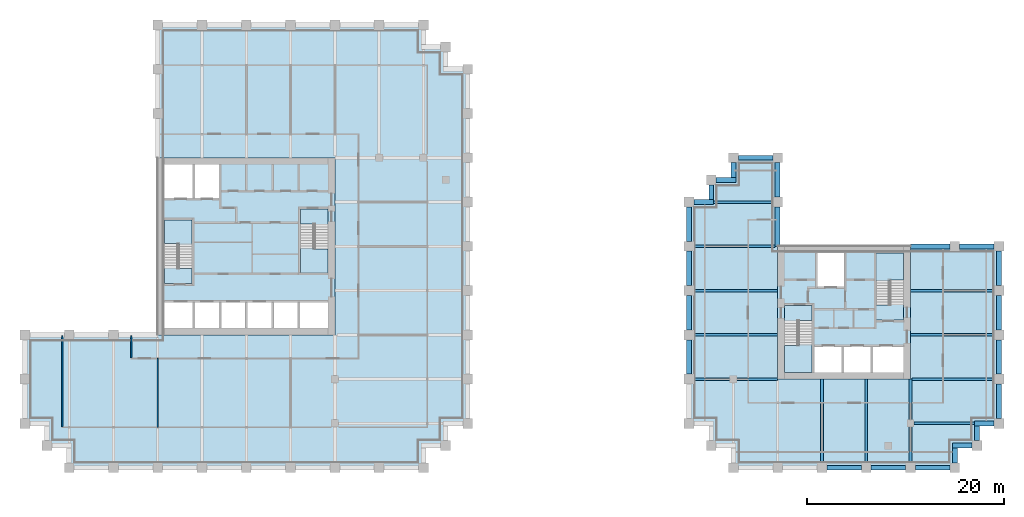
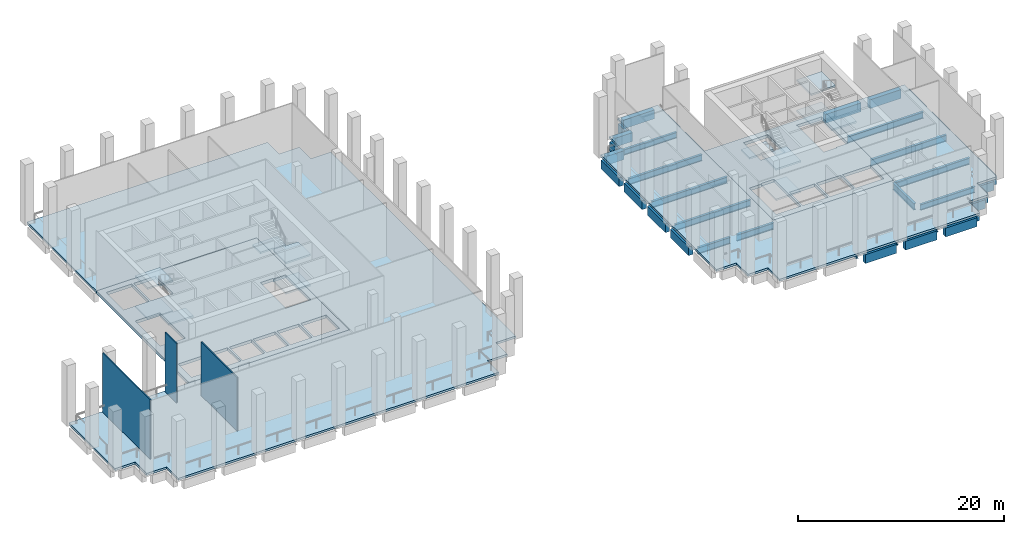
# One storey, part 2 of 9: 38 beams, 16 slabs, 3 walls, 4 elements without a shape of their own.
"""IFC4 building model written with IfcOpenShell, lengths in metres."""

from ifc_helpers import new_model, si_unit, direction, frame, frame_2d, origin, origin_2d, place, context, subcontext, project, spatial, polyline, rectangle, i_section, outline, extrude, material, layer, layer_set, material_profile, profile_set, type_object, element, aggregate, save


model = new_model("IFC4")

# Units and contexts
model_context = context("Model", 3, precision=1e-05, world=origin(), true_north=direction((0.0, 1.0)))
body_context = subcontext(model_context, "Body", "Model", "MODEL_VIEW")
ifc_project = project(units=[si_unit("LENGTHUNIT", "METRE"), si_unit("AREAUNIT", "SQUARE_METRE"), si_unit("VOLUMEUNIT", "CUBIC_METRE"), si_unit("PLANEANGLEUNIT", "RADIAN"), si_unit("MASSUNIT", "GRAM", prefix="KILO")], contexts=[model_context])

# Site, building, storey
site_placement = place(None, origin())
site = spatial("IfcSite", under=ifc_project, at=site_placement, CompositionType="ELEMENT")
building_placement = place(site_placement, origin())
building = spatial("IfcBuilding", under=site, at=building_placement, Name="Altepetl Exchange Towers", CompositionType="ELEMENT")
storey_placement = place(building_placement, frame((0.0, 0.0, 113.60009765625)))
storey = spatial("IfcBuildingStorey", under=building, at=storey_placement, Name="L28 Wind floor plant", CompositionType="ELEMENT", Elevation=113.60009765625)

# Beams
ifc_material_1 = material(Name="Steel S355", Category="steel")
ifc_material_profile_1 = material_profile(ifc_material_1, i_section(OverallWidth=0.26806640625, OverallDepth=0.77392578125, WebThickness=0.015380859375, FlangeThickness=0.025390625, at=origin_2d()), Name="W30X132")
ifc_profile_set_1 = profile_set([ifc_material_profile_1], Name="Steel S355")
beam_type_1 = type_object("IfcBeamType", Name="Girder W30X132", PredefinedType="BEAM", material=ifc_profile_set_1)
beam_1_placement = place(storey_placement, frame((117.0, 36.0, -0.63720703125), z_axis=(0.0, -1.0, 0.0), x_axis=(1.0, 0.0, 0.0)))
element("IfcBeam", 1, at=beam_1_placement, inside=storey, type_object=beam_type_1, Name="gd:B:L28:000", PredefinedType="BEAM", context=body_context, shape_type="SweptSolid", body=[
    extrude(i_section(OverallWidth=0.26806640625, OverallDepth=0.77392578125, WebThickness=0.015380859375, FlangeThickness=0.025390625, at=origin_2d()), origin(), (0.0, 0.0, 1.0), 4.125),
])
beam_2_placement = place(storey_placement, frame((117.0, 31.125, -0.63720703125), z_axis=(0.0, -1.0, 0.0), x_axis=(1.0, 0.0, 0.0)))
element("IfcBeam", 2, at=beam_2_placement, inside=storey, type_object=beam_type_1, Name="gd:B:L28:001", PredefinedType="BEAM", context=body_context, shape_type="SweptSolid", body=[
    extrude(i_section(OverallWidth=0.26806640625, OverallDepth=0.77392578125, WebThickness=0.015380859375, FlangeThickness=0.025390625, at=origin_2d()), origin(), (0.0, 0.0, 1.0), 3.625),
])
beam_3_placement = place(storey_placement, frame((103.5, 36.0, -0.63720703125), z_axis=(-1.0, 0.0, 0.0), x_axis=(0.0, -1.0, 0.0)))
element("IfcBeam", 3, at=beam_3_placement, inside=storey, type_object=beam_type_1, Name="gd:B:L28:002", PredefinedType="BEAM", context=body_context, shape_type="SweptSolid", body=[
    extrude(i_section(OverallWidth=0.26806640625, OverallDepth=0.77392578125, WebThickness=0.015380859375, FlangeThickness=0.025390625, at=origin_2d()), origin(), (0.0, 0.0, 1.0), 4.125),
])
beam_4_placement = place(storey_placement, frame((98.625, 36.0, -0.63720703125), z_axis=(-1.0, 0.0, 0.0), x_axis=(0.0, -1.0, 0.0)))
element("IfcBeam", 4, at=beam_4_placement, inside=storey, type_object=beam_type_1, Name="gd:B:L28:003", PredefinedType="BEAM", context=body_context, shape_type="SweptSolid", body=[
    extrude(i_section(OverallWidth=0.26806640625, OverallDepth=0.77392578125, WebThickness=0.015380859375, FlangeThickness=0.025390625, at=origin_2d()), origin(), (0.0, 0.0, 1.0), 3.625),
])
ifc_material_profile_2 = material_profile(ifc_material_1, i_section(OverallWidth=0.25390625, OverallDepth=0.68408203125, WebThickness=0.012451171875, FlangeThickness=0.018798828125, at=origin_2d()), Name="W27X94")
ifc_profile_set_2 = profile_set([ifc_material_profile_2], Name="Steel S355")
beam_type_2 = type_object("IfcBeamType", Name="Plant floor beam W27X94", PredefinedType="BEAM", material=ifc_profile_set_2)
beam_5_placement = place(storey_placement, frame((117.375, 31.5, -0.592041015625), z_axis=(1.0, 0.0, 0.0), x_axis=(0.0, 1.0, 0.0)))
element("IfcBeam", 5, at=beam_5_placement, inside=storey, type_object=beam_type_2, Name="bm:B:L28:000", PredefinedType="BEAM", context=body_context, shape_type="SweptSolid", body=[
    extrude(i_section(OverallWidth=0.25390625, OverallDepth=0.68408203125, WebThickness=0.012451171875, FlangeThickness=0.018798828125, at=origin_2d()), origin(), (0.0, 0.0, 1.0), 6.125),
])
beam_6_placement = place(storey_placement, frame((97.0, 54.0, -0.592041015625), z_axis=(1.0, 0.0, 0.0), x_axis=(0.0, 1.0, 0.0)))
element("IfcBeam", 6, at=beam_6_placement, inside=storey, type_object=beam_type_2, Name="bm:B:L28:011", PredefinedType="BEAM", context=body_context, shape_type="SweptSolid", body=[
    extrude(i_section(OverallWidth=0.25390625, OverallDepth=0.68408203125, WebThickness=0.012451171875, FlangeThickness=0.018798828125, at=origin_2d()), origin(), (0.0, 0.0, 1.0), 6.0),
])
ifc_material_profile_3 = material_profile(ifc_material_1, i_section(OverallWidth=0.26611328125, OverallDepth=0.758056640625, WebThickness=0.013916015625, FlangeThickness=0.019287109375, at=origin_2d()), Name="W30X108")
ifc_profile_set_3 = profile_set([ifc_material_profile_3], Name="Steel S355")
beam_type_3 = type_object("IfcBeamType", Name="Plant floor beam W30X108", PredefinedType="BEAM", material=ifc_profile_set_3)
beam_7_placement = place(storey_placement, frame((117.134033203125, 36.0, -0.629150390625), z_axis=(1.0, 0.0, 0.0), x_axis=(0.0, 1.0, 0.0)))
element("IfcBeam", 7, at=beam_7_placement, inside=storey, type_object=beam_type_3, Name="bm:B:L28:001", PredefinedType="BEAM", context=body_context, shape_type="SweptSolid", body=[
    extrude(i_section(OverallWidth=0.26611328125, OverallDepth=0.758056640625, WebThickness=0.013916015625, FlangeThickness=0.019287109375, at=origin_2d()), origin(), (0.0, 0.0, 1.0), 8.365966796875),
])
for number, where, z_axis, x_axis, name in (
    (8, (117.0, 40.5, -0.629150390625), (1.0, 0.0, 0.0), (0.0, 1.0, 0.0), "bm:B:L28:002"),
    (9, (117.0, 45.0, -0.629150390625), (1.0, 0.0, 0.0), (0.0, 1.0, 0.0), "bm:B:L28:003"),
    (10, (108.0, 27.5, -0.629150390625), (0.0, 1.0, 0.0), (-1.0, 0.0, 0.0), "bm:B:L28:006"),
    (11, (112.5, 27.5, -0.629150390625), (0.0, 1.0, 0.0), (-1.0, 0.0, 0.0), "bm:B:L28:007"),
    (12, (95.0, 40.5, -0.629150390625), (1.0, 0.0, 0.0), (0.0, 1.0, 0.0), "bm:B:L28:008"),
    (13, (95.0, 45.0, -0.629150390625), (1.0, 0.0, 0.0), (0.0, 1.0, 0.0), "bm:B:L28:009"),
):
    element("IfcBeam", number, at=place(storey_placement, frame(where, z_axis=z_axis, x_axis=x_axis)), inside=storey, type_object=beam_type_3, Name=name, PredefinedType="BEAM", context=body_context, shape_type="SweptSolid", body=[
        extrude(i_section(OverallWidth=0.26611328125, OverallDepth=0.758056640625, WebThickness=0.013916015625, FlangeThickness=0.019287109375, at=origin_2d()), origin(), (0.0, 0.0, 1.0), 8.5),
    ])
beam_8_placement = place(storey_placement, frame((95.0, 49.5, -0.629150390625), z_axis=(1.0, 0.0, 0.0), x_axis=(0.0, 1.0, 0.0)))
element("IfcBeam", 14, at=beam_8_placement, inside=storey, type_object=beam_type_3, Name="bm:B:L28:010", PredefinedType="BEAM", context=body_context, shape_type="SweptSolid", body=[
    extrude(i_section(OverallWidth=0.26611328125, OverallDepth=0.758056640625, WebThickness=0.013916015625, FlangeThickness=0.019287109375, at=origin_2d()), origin(), (0.0, 0.0, 1.0), 8.25),
])
ifc_material_2 = material(Name="Concrete C50/60 precast with cantera amarilla facing", Category="concrete")
ifc_material_profile_4 = material_profile(ifc_material_2, rectangle(XDim=0.5, YDim=1.050048828125, at=origin_2d()), Name="500 x 1050")
ifc_profile_set_4 = profile_set([ifc_material_profile_4], Name="Concrete C50/60 precast with cantera amarilla facing")
beam_type_4 = type_object("IfcBeamType", Name="Spandrel beam 500x1050 cantera amarilla", PredefinedType="SPANDREL", material=ifc_profile_set_4)
beam_9_placement = place(storey_placement, frame((125.5, 49.5, -0.775146484375), z_axis=(-1.0, 0.0, 0.0), x_axis=(0.0, -1.0, 0.0)))
element("IfcBeam", 15, at=beam_9_placement, inside=storey, type_object=beam_type_4, Name="sp:B:L28:013", PredefinedType="SPANDREL", context=body_context, shape_type="SweptSolid", body=[
    extrude(rectangle(XDim=0.5, YDim=1.050048828125, at=origin_2d()), origin(), (0.0, 0.0, 1.0), 3.5),
])
beam_10_placement = place(storey_placement, frame((121.0, 49.5, -0.775146484375), z_axis=(-1.0, 0.0, 0.0), x_axis=(0.0, -1.0, 0.0)))
element("IfcBeam", 16, at=beam_10_placement, inside=storey, type_object=beam_type_4, Name="sp:B:L28:014", PredefinedType="SPANDREL", context=body_context, shape_type="SweptSolid", body=[
    extrude(rectangle(XDim=0.5, YDim=1.050048828125, at=origin_2d()), origin(), (0.0, 0.0, 1.0), 4.0),
])
ifc_material_3 = material(Name="Concrete C50/60 precast with cantera blanca facing", Category="concrete")
ifc_material_profile_5 = material_profile(ifc_material_3, rectangle(XDim=0.5, YDim=1.050048828125, at=origin_2d()), Name="500 x 1050")
ifc_profile_set_5 = profile_set([ifc_material_profile_5], Name="Concrete C50/60 precast with cantera blanca facing")
beam_type_5 = type_object("IfcBeamType", Name="Spandrel beam 500x1050 cantera blanca", PredefinedType="SPANDREL", material=ifc_profile_set_5)
beam_11_placement = place(storey_placement, frame((117.5, 27.0, -0.775146484375), z_axis=(1.0, 0.0, 0.0), x_axis=(0.0, 1.0, 0.0)))
element("IfcBeam", 17, at=beam_11_placement, inside=storey, type_object=beam_type_5, Name="sp:B:L28:004", PredefinedType="SPANDREL", context=body_context, shape_type="SweptSolid", body=[
    extrude(rectangle(XDim=0.5, YDim=1.050048828125, at=origin_2d()), origin(), (0.0, 0.0, 1.0), 3.5),
])
beam_12_placement = place(storey_placement, frame((121.5, 27.5, -0.775146484375), z_axis=(0.0, 1.0, 0.0), x_axis=(-1.0, 0.0, 0.0)))
element("IfcBeam", 18, at=beam_12_placement, inside=storey, type_object=beam_type_5, Name="sp:B:L28:005", PredefinedType="SPANDREL", context=body_context, shape_type="SweptSolid", body=[
    extrude(rectangle(XDim=0.5, YDim=1.050048828125, at=origin_2d()), origin(), (0.0, 0.0, 1.0), 1.5),
])
beam_13_placement = place(storey_placement, frame((121.25, 29.25, -0.775146484375), z_axis=(1.0, 0.0, 0.0), x_axis=(0.0, 1.0, 0.0)))
element("IfcBeam", 19, at=beam_13_placement, inside=storey, type_object=beam_type_5, Name="sp:B:L28:006", PredefinedType="SPANDREL", context=body_context, shape_type="SweptSolid", body=[
    extrude(rectangle(XDim=0.5, YDim=1.050048828125, at=origin_2d()), origin(), (0.0, 0.0, 1.0), 2.0),
])
beam_14_placement = place(storey_placement, frame((123.75, 29.75, -0.775146484375), z_axis=(0.0, 1.0, 0.0), x_axis=(-1.0, 0.0, 0.0)))
element("IfcBeam", 20, at=beam_14_placement, inside=storey, type_object=beam_type_5, Name="sp:B:L28:007", PredefinedType="SPANDREL", context=body_context, shape_type="SweptSolid", body=[
    extrude(rectangle(XDim=0.5, YDim=1.050048828125, at=origin_2d()), origin(), (0.0, 0.0, 1.0), 1.5),
])
beam_15_placement = place(storey_placement, frame((123.5, 31.5, -0.775146484375), z_axis=(1.0, 0.0, 0.0), x_axis=(0.0, 1.0, 0.0)))
element("IfcBeam", 21, at=beam_15_placement, inside=storey, type_object=beam_type_5, Name="sp:B:L28:008", PredefinedType="SPANDREL", context=body_context, shape_type="SweptSolid", body=[
    extrude(rectangle(XDim=0.5, YDim=1.050048828125, at=origin_2d()), origin(), (0.0, 0.0, 1.0), 2.0),
])
for number, where, z_axis, x_axis, name in (
    (22, (126.0, 32.0, -0.775146484375), (0.0, 1.0, 0.0), (-1.0, 0.0, 0.0), "sp:B:L28:009"),
    (23, (126.0, 36.5, -0.775146484375), (0.0, 1.0, 0.0), (-1.0, 0.0, 0.0), "sp:B:L28:010"),
    (24, (126.0, 41.0, -0.775146484375), (0.0, 1.0, 0.0), (-1.0, 0.0, 0.0), "sp:B:L28:011"),
    (25, (126.0, 45.5, -0.775146484375), (0.0, 1.0, 0.0), (-1.0, 0.0, 0.0), "sp:B:L28:012"),
):
    element("IfcBeam", number, at=place(storey_placement, frame(where, z_axis=z_axis, x_axis=x_axis)), inside=storey, type_object=beam_type_5, Name=name, PredefinedType="SPANDREL", context=body_context, shape_type="SweptSolid", body=[
        extrude(rectangle(XDim=0.5, YDim=1.050048828125, at=origin_2d()), origin(), (0.0, 0.0, 1.0), 3.5),
    ])
ifc_material_4 = material(Name="Concrete C50/60 precast with cantera rosa facing", Category="concrete")
ifc_material_profile_6 = material_profile(ifc_material_4, rectangle(XDim=0.5, YDim=1.050048828125, at=origin_2d()), Name="500 x 1050")
ifc_profile_set_6 = profile_set([ifc_material_profile_6], Name="Concrete C50/60 precast with cantera rosa facing")
beam_type_6 = type_object("IfcBeamType", Name="Spandrel beam 500x1050 cantera rosa", PredefinedType="SPANDREL", material=ifc_profile_set_6)
beam_16_placement = place(storey_placement, frame((103.5, 49.5, -0.775146484375), z_axis=(0.0, 1.0, 0.0), x_axis=(-1.0, 0.0, 0.0)))
element("IfcBeam", 26, at=beam_16_placement, inside=storey, type_object=beam_type_6, Name="sp:B:L28:015", PredefinedType="SPANDREL", context=body_context, shape_type="SweptSolid", body=[
    extrude(rectangle(XDim=0.5, YDim=1.050048828125, at=origin_2d()), origin(), (0.0, 0.0, 1.0), 4.0),
])
for number, where, z_axis, x_axis, name in (
    (27, (103.5, 54.5, -0.775146484375), (0.0, 1.0, 0.0), (-1.0, 0.0, 0.0), "sp:B:L28:016"),
    (28, (103.0, 58.5, -0.775146484375), (-1.0, 0.0, 0.0), (0.0, -1.0, 0.0), "sp:B:L28:017"),
):
    element("IfcBeam", number, at=place(storey_placement, frame(where, z_axis=z_axis, x_axis=x_axis)), inside=storey, type_object=beam_type_6, Name=name, PredefinedType="SPANDREL", context=body_context, shape_type="SweptSolid", body=[
        extrude(rectangle(XDim=0.5, YDim=1.050048828125, at=origin_2d()), origin(), (0.0, 0.0, 1.0), 3.5),
    ])
beam_17_placement = place(storey_placement, frame((99.0, 58.0, -0.775146484375), z_axis=(0.0, -1.0, 0.0), x_axis=(1.0, 0.0, 0.0)))
element("IfcBeam", 29, at=beam_17_placement, inside=storey, type_object=beam_type_6, Name="sp:B:L28:018", PredefinedType="SPANDREL", context=body_context, shape_type="SweptSolid", body=[
    extrude(rectangle(XDim=0.5, YDim=1.050048828125, at=origin_2d()), origin(), (0.0, 0.0, 1.0), 1.5),
])
beam_18_placement = place(storey_placement, frame((99.25, 56.25, -0.775146484375), z_axis=(-1.0, 0.0, 0.0), x_axis=(0.0, -1.0, 0.0)))
element("IfcBeam", 30, at=beam_18_placement, inside=storey, type_object=beam_type_6, Name="sp:B:L28:019", PredefinedType="SPANDREL", context=body_context, shape_type="SweptSolid", body=[
    extrude(rectangle(XDim=0.5, YDim=1.050048828125, at=origin_2d()), origin(), (0.0, 0.0, 1.0), 2.0),
])
beam_19_placement = place(storey_placement, frame((96.75, 55.75, -0.775146484375), z_axis=(0.0, -1.0, 0.0), x_axis=(1.0, 0.0, 0.0)))
element("IfcBeam", 31, at=beam_19_placement, inside=storey, type_object=beam_type_6, Name="sp:B:L28:020", PredefinedType="SPANDREL", context=body_context, shape_type="SweptSolid", body=[
    extrude(rectangle(XDim=0.5, YDim=1.050048828125, at=origin_2d()), origin(), (0.0, 0.0, 1.0), 1.5),
])
beam_20_placement = place(storey_placement, frame((97.0, 54.0, -0.775146484375), z_axis=(-1.0, 0.0, 0.0), x_axis=(0.0, -1.0, 0.0)))
element("IfcBeam", 32, at=beam_20_placement, inside=storey, type_object=beam_type_6, Name="sp:B:L28:021", PredefinedType="SPANDREL", context=body_context, shape_type="SweptSolid", body=[
    extrude(rectangle(XDim=0.5, YDim=1.050048828125, at=origin_2d()), origin(), (0.0, 0.0, 1.0), 2.0),
])
for number, where, z_axis, x_axis, name in (
    (33, (94.5, 53.5, -0.775146484375), (0.0, -1.0, 0.0), (1.0, 0.0, 0.0), "sp:B:L28:022"),
    (34, (94.5, 49.0, -0.775146484375), (0.0, -1.0, 0.0), (1.0, 0.0, 0.0), "sp:B:L28:023"),
    (35, (94.5, 44.5, -0.775146484375), (0.0, -1.0, 0.0), (1.0, 0.0, 0.0), "sp:B:L28:024"),
    (36, (94.5, 40.0, -0.775146484375), (0.0, -1.0, 0.0), (1.0, 0.0, 0.0), "sp:B:L28:025"),
):
    element("IfcBeam", number, at=place(storey_placement, frame(where, z_axis=z_axis, x_axis=x_axis)), inside=storey, type_object=beam_type_6, Name=name, PredefinedType="SPANDREL", context=body_context, shape_type="SweptSolid", body=[
        extrude(rectangle(XDim=0.5, YDim=1.050048828125, at=origin_2d()), origin(), (0.0, 0.0, 1.0), 3.5),
    ])
ifc_material_5 = material(Name="Concrete C50/60 precast with tezontle facing", Category="concrete")
ifc_material_profile_7 = material_profile(ifc_material_5, rectangle(XDim=0.5, YDim=1.050048828125, at=origin_2d()), Name="500 x 1050")
ifc_profile_set_7 = profile_set([ifc_material_profile_7], Name="Concrete C50/60 precast with tezontle facing")
beam_type_7 = type_object("IfcBeamType", Name="Spandrel beam 500x1050 tezontle", PredefinedType="SPANDREL", material=ifc_profile_set_7)
for number, where, z_axis, x_axis, name in (
    (37, (108.5, 27.0, -0.775146484375), (1.0, 0.0, 0.0), (0.0, 1.0, 0.0), "sp:B:L28:002"),
    (38, (113.0, 27.0, -0.775146484375), (1.0, 0.0, 0.0), (0.0, 1.0, 0.0), "sp:B:L28:003"),
):
    element("IfcBeam", number, at=place(storey_placement, frame(where, z_axis=z_axis, x_axis=x_axis)), inside=storey, type_object=beam_type_7, Name=name, PredefinedType="SPANDREL", context=body_context, shape_type="SweptSolid", body=[
        extrude(rectangle(XDim=0.5, YDim=1.050048828125, at=origin_2d()), origin(), (0.0, 0.0, 1.0), 3.5),
    ])

# Slabs
ifc_material_6 = material(Name="Concrete C40/50", Category="concrete")
ifc_layer_1 = layer(ifc_material_6, 0.25)
ifc_layer_set_1 = layer_set([ifc_layer_1], Name="Concrete C40/50")
slab_type_1 = type_object("IfcSlabType", Name="Composite floor slab 250", PredefinedType="FLOOR", material=ifc_layer_set_1)
slab_1_placement = place(storey_placement, frame((0.0, 0.0, -0.25)))
element("IfcSlab", 39, at=slab_1_placement, inside=storey, type_object=slab_type_1, Name="slab:A:L28:strip0", PredefinedType="FLOOR", context=body_context, shape_type="SweptSolid", body=[
    extrude(outline(polyline([(40.5, 72.0), (40.5, 58.5), (58.5, 58.5), (58.5, 40.5), (40.5, 40.5), (27.0, 40.5), (27.0, 31.5), (29.25, 31.5), (29.25, 29.25), (31.5, 29.25), (31.5, 27.0), (58.5, 27.0), (67.5, 27.0), (67.5, 29.25), (69.75, 29.25), (69.75, 31.5), (72.0, 31.5), (72.0, 58.5), (72.0, 67.5), (69.75, 67.5), (69.75, 69.75), (67.5, 69.75), (67.5, 72.0), (40.5, 72.0)])), origin(), (0.0, 0.0, 1.0), 0.25),
])
slab_2_placement = place(storey_placement, frame((0.0, 0.0, -0.25)))
element("IfcSlab", 40, at=slab_2_placement, inside=storey, type_object=slab_type_1, Name="slab:B:L28:strip0", PredefinedType="FLOOR", context=body_context, shape_type="SweptSolid", body=[
    extrude(outline(polyline([(96.75, 56.25), (96.75, 54.0), (94.5, 54.0), (94.5, 36.0), (94.5, 31.5), (96.75, 31.5), (96.75, 29.25), (99.0, 29.25), (99.0, 27.0), (117.0, 27.0), (121.5, 27.0), (121.5, 29.25), (123.75, 29.25), (123.75, 31.5), (126.0, 31.5), (126.0, 49.5), (117.0, 49.5), (117.0, 36.0), (103.5, 36.0), (103.5, 49.5), (103.5, 58.5), (99.0, 58.5), (99.0, 56.25), (96.75, 56.25)])), origin(), (0.0, 0.0, 1.0), 0.25),
])
ifc_layer_2 = layer(ifc_material_6, 0.35009765625)
ifc_layer_set_2 = layer_set([ifc_layer_2], Name="Concrete C40/50")
slab_type_2 = type_object("IfcSlabType", Name="Core floor slab 350", PredefinedType="FLOOR", material=ifc_layer_set_2)
slab_3_placement = place(storey_placement, frame((0.0, 0.0, -0.35009765625)))
element("IfcSlab", 41, at=slab_3_placement, inside=storey, type_object=slab_type_2, Name="slab:A:L28:core0", PredefinedType="FLOOR", context=body_context, shape_type="SweptSolid", body=[
    extrude(outline(polyline([(40.5, 40.5), (58.5, 40.5), (58.5, 58.5), (40.5, 58.5), (40.5, 40.5)]), holes=[polyline([(41.199951171875, 43.800048828125), (44.06689453125, 43.800048828125), (44.06689453125, 41.199951171875), (41.199951171875, 41.199951171875), (41.199951171875, 43.800048828125)]), polyline([(44.26708984375, 43.800048828125), (46.73291015625, 43.800048828125), (46.73291015625, 41.199951171875), (44.26708984375, 41.199951171875), (44.26708984375, 43.800048828125)]), polyline([(46.93310546875, 43.800048828125), (49.39990234375, 43.800048828125), (49.39990234375, 41.199951171875), (46.93310546875, 41.199951171875), (46.93310546875, 43.800048828125)]), polyline([(52.06689453125, 43.800048828125), (52.06689453125, 41.199951171875), (49.60009765625, 41.199951171875), (49.60009765625, 43.800048828125), (52.06689453125, 43.800048828125)]), polyline([(54.73291015625, 43.800048828125), (54.73291015625, 41.199951171875), (52.26708984375, 41.199951171875), (52.26708984375, 43.800048828125), (54.73291015625, 43.800048828125)]), polyline([(54.93310546875, 43.800048828125), (57.800048828125, 43.800048828125), (57.800048828125, 41.199951171875), (54.93310546875, 41.199951171875), (54.93310546875, 43.800048828125)]), polyline([(55.0, 51.7490234375), (56.449951171875, 51.7490234375), (56.449951171875, 51.64990234375), (57.800048828125, 51.64990234375), (57.800048828125, 46.800048828125), (55.0, 46.800048828125), (55.0, 51.7490234375)]), polyline([(44.0, 47.2509765625), (42.550048828125, 47.2509765625), (42.550048828125, 47.35009765625), (41.199951171875, 47.35009765625), (41.199951171875, 52.199951171875), (44.0, 52.199951171875), (44.0, 47.2509765625)]), polyline([(44.06689453125, 57.800048828125), (44.06689453125, 54.39990234375), (41.199951171875, 54.39990234375), (41.199951171875, 57.800048828125), (44.06689453125, 57.800048828125)]), polyline([(46.73291015625, 57.800048828125), (46.73291015625, 54.39990234375), (44.26708984375, 54.39990234375), (44.26708984375, 57.800048828125), (46.73291015625, 57.800048828125)])]), origin(), (0.0, 0.0, 1.0), 0.35009765625),
])
slab_4_placement = place(storey_placement, frame((0.0, 0.0, -0.35009765625)))
element("IfcSlab", 42, at=slab_4_placement, inside=storey, type_object=slab_type_2, Name="slab:B:L28:core0", PredefinedType="FLOOR", context=body_context, shape_type="SweptSolid", body=[
    extrude(outline(polyline([(103.5, 36.0), (117.0, 36.0), (117.0, 49.5), (103.5, 49.5), (103.5, 36.0)]), holes=[polyline([(107.199951171875, 36.699951171875), (107.199951171875, 39.300048828125), (110.032958984375, 39.300048828125), (110.032958984375, 36.699951171875), (107.199951171875, 36.699951171875)]), polyline([(110.23291015625, 39.300048828125), (112.967041015625, 39.300048828125), (112.967041015625, 36.699951171875), (110.23291015625, 36.699951171875), (110.23291015625, 39.300048828125)]), polyline([(113.1669921875, 39.300048828125), (116.300048828125, 39.300048828125), (116.300048828125, 36.699951171875), (113.1669921875, 36.699951171875), (113.1669921875, 39.300048828125)]), polyline([(107.0, 36.699951171875), (104.199951171875, 36.699951171875), (104.199951171875, 41.85009765625), (105.550048828125, 41.85009765625), (105.550048828125, 41.948974609375), (107.0, 41.948974609375), (107.0, 36.699951171875)]), polyline([(116.300048828125, 48.800048828125), (116.300048828125, 43.64990234375), (114.949951171875, 43.64990234375), (114.949951171875, 43.551025390625), (113.5, 43.551025390625), (113.5, 48.800048828125), (116.300048828125, 48.800048828125)]), polyline([(107.532958984375, 48.800048828125), (110.26708984375, 48.800048828125), (110.26708984375, 45.39990234375), (107.532958984375, 45.39990234375), (107.532958984375, 48.800048828125)])]), origin(), (0.0, 0.0, 1.0), 0.35009765625),
])

# Stair, slabs
stair_type = type_object("IfcStairType", Name="Exit stair 1350 flights dogleg", PredefinedType="HALF_TURN_STAIR", material=ifc_material_6)
stair_1_placement = place(storey_placement, origin())
stair_1 = element("IfcStair", 43, at=stair_1_placement, inside=storey, type_object=stair_type, Name="Exit stair 1", PredefinedType="HALF_TURN_STAIR")
ifc_layer_3 = layer(ifc_material_6, 0.199951171875)
ifc_layer_set_3 = layer_set([ifc_layer_3], Name="Concrete C40/50")
slab_type_3 = type_object("IfcSlabType", Name="Stair landing 200 reinforced concrete", PredefinedType="LANDING", material=ifc_layer_set_3)
slab_5_placement = place(storey_placement, frame((0.0, 0.0, 1.599853515625)))
slab_5 = element("IfcSlab", 44, at=slab_5_placement, type_object=slab_type_3, Name="ST-A1d landing 1", PredefinedType="LANDING", context=body_context, shape_type="SweptSolid", body=[
    extrude(outline(polyline([(44.0, 49.669921875), (42.64990234375, 49.669921875), (42.64990234375, 49.77001953125), (42.550048828125, 49.77001953125), (42.550048828125, 49.769287109375), (41.199951171875, 49.769287109375), (41.199951171875, 49.77001953125), (41.199951171875, 52.199951171875), (44.0, 52.199951171875), (44.0, 49.77001953125), (44.0, 49.669921875)])), origin(), (0.0, 0.0, 1.0), 0.199951171875),
])
slab_6_placement = place(storey_placement, frame((0.0, 0.0, 3.39990234375)))
slab_6 = element("IfcSlab", 45, at=slab_6_placement, type_object=slab_type_3, Name="ST-A1d landing 2", PredefinedType="LANDING", context=body_context, shape_type="SweptSolid", body=[
    extrude(outline(polyline([(44.0, 45.699951171875), (41.199951171875, 45.699951171875), (41.199951171875, 47.25), (41.199951171875, 47.35009765625), (42.550048828125, 47.35009765625), (42.550048828125, 47.25), (42.64990234375, 47.25), (42.64990234375, 47.250732421875), (44.0, 47.250732421875), (44.0, 47.25), (44.0, 45.699951171875)])), origin(), (0.0, 0.0, 1.0), 0.199951171875),
])
slab_7_placement = place(storey_placement, frame((0.0, 0.0, 5.199951171875)))
slab_7 = element("IfcSlab", 46, at=slab_7_placement, type_object=slab_type_3, Name="ST-A1d landing 3", PredefinedType="LANDING", context=body_context, shape_type="SweptSolid", body=[
    extrude(outline(polyline([(44.0, 49.669921875), (42.64990234375, 49.669921875), (42.64990234375, 49.77001953125), (42.550048828125, 49.77001953125), (42.550048828125, 49.769287109375), (41.199951171875, 49.769287109375), (41.199951171875, 49.77001953125), (41.199951171875, 52.199951171875), (44.0, 52.199951171875), (44.0, 49.77001953125), (44.0, 49.669921875)])), origin(), (0.0, 0.0, 1.0), 0.199951171875),
])
aggregate(stair_1, [slab_5, slab_6, slab_7])

stair_2_placement = place(storey_placement, origin())
stair_2 = element("IfcStair", 47, at=stair_2_placement, inside=storey, type_object=stair_type, Name="Exit stair 2", PredefinedType="HALF_TURN_STAIR")
slab_8_placement = place(storey_placement, frame((0.0, 0.0, 1.599853515625)))
slab_8 = element("IfcSlab", 48, at=slab_8_placement, type_object=slab_type_3, Name="ST-A2d landing 1", PredefinedType="LANDING", context=body_context, shape_type="SweptSolid", body=[
    extrude(outline(polyline([(57.800048828125, 46.800048828125), (55.0, 46.800048828125), (55.0, 49.22998046875), (55.0, 49.330078125), (56.35009765625, 49.330078125), (56.35009765625, 49.22998046875), (56.449951171875, 49.22998046875), (56.449951171875, 49.230712890625), (57.800048828125, 49.230712890625), (57.800048828125, 49.22998046875), (57.800048828125, 46.800048828125)])), origin(), (0.0, 0.0, 1.0), 0.199951171875),
])
slab_9_placement = place(storey_placement, frame((0.0, 0.0, 3.39990234375)))
slab_9 = element("IfcSlab", 49, at=slab_9_placement, type_object=slab_type_3, Name="ST-A2d landing 2", PredefinedType="LANDING", context=body_context, shape_type="SweptSolid", body=[
    extrude(outline(polyline([(57.800048828125, 51.64990234375), (56.449951171875, 51.64990234375), (56.449951171875, 51.75), (56.35009765625, 51.75), (56.35009765625, 51.749267578125), (55.0, 51.749267578125), (55.0, 51.75), (55.0, 53.300048828125), (57.800048828125, 53.300048828125), (57.800048828125, 51.75), (57.800048828125, 51.64990234375)])), origin(), (0.0, 0.0, 1.0), 0.199951171875),
])
slab_10_placement = place(storey_placement, frame((0.0, 0.0, 5.199951171875)))
slab_10 = element("IfcSlab", 50, at=slab_10_placement, type_object=slab_type_3, Name="ST-A2d landing 3", PredefinedType="LANDING", context=body_context, shape_type="SweptSolid", body=[
    extrude(outline(polyline([(57.800048828125, 46.800048828125), (55.0, 46.800048828125), (55.0, 49.22998046875), (55.0, 49.330078125), (56.35009765625, 49.330078125), (56.35009765625, 49.22998046875), (56.449951171875, 49.22998046875), (56.449951171875, 49.230712890625), (57.800048828125, 49.230712890625), (57.800048828125, 49.22998046875), (57.800048828125, 46.800048828125)])), origin(), (0.0, 0.0, 1.0), 0.199951171875),
])
aggregate(stair_2, [slab_8, slab_9, slab_10])

stair_3_placement = place(storey_placement, origin())
stair_3 = element("IfcStair", 51, at=stair_3_placement, inside=storey, type_object=stair_type, Name="Exit stair 1", PredefinedType="HALF_TURN_STAIR")
slab_11_placement = place(storey_placement, frame((0.0, 0.0, 1.599853515625)))
slab_11 = element("IfcSlab", 52, at=slab_11_placement, type_object=slab_type_3, Name="ST-B1d landing 1", PredefinedType="LANDING", context=body_context, shape_type="SweptSolid", body=[
    extrude(outline(polyline([(107.0, 36.699951171875), (104.199951171875, 36.699951171875), (104.199951171875, 39.429931640625), (104.199951171875, 39.4306640625), (105.550048828125, 39.4306640625), (105.550048828125, 39.429931640625), (105.64990234375, 39.429931640625), (105.64990234375, 39.530029296875), (107.0, 39.530029296875), (107.0, 39.429931640625), (107.0, 36.699951171875)])), origin(), (0.0, 0.0, 1.0), 0.199951171875),
])
slab_12_placement = place(storey_placement, frame((0.0, 0.0, 3.39990234375)))
slab_12 = element("IfcSlab", 53, at=slab_12_placement, type_object=slab_type_3, Name="ST-B1d landing 2", PredefinedType="LANDING", context=body_context, shape_type="SweptSolid", body=[
    extrude(outline(polyline([(105.550048828125, 41.85009765625), (104.199951171875, 41.85009765625), (104.199951171875, 41.949951171875), (104.199951171875, 43.5), (107.0, 43.5), (107.0, 41.949951171875), (107.0, 41.94921875), (105.64990234375, 41.94921875), (105.64990234375, 41.949951171875), (105.550048828125, 41.949951171875), (105.550048828125, 41.85009765625)])), origin(), (0.0, 0.0, 1.0), 0.199951171875),
])
slab_13_placement = place(storey_placement, frame((0.0, 0.0, 5.199951171875)))
slab_13 = element("IfcSlab", 54, at=slab_13_placement, type_object=slab_type_3, Name="ST-B1d landing 3", PredefinedType="LANDING", context=body_context, shape_type="SweptSolid", body=[
    extrude(outline(polyline([(107.0, 36.699951171875), (104.199951171875, 36.699951171875), (104.199951171875, 39.429931640625), (104.199951171875, 39.4306640625), (105.550048828125, 39.4306640625), (105.550048828125, 39.429931640625), (105.64990234375, 39.429931640625), (105.64990234375, 39.530029296875), (107.0, 39.530029296875), (107.0, 39.429931640625), (107.0, 36.699951171875)])), origin(), (0.0, 0.0, 1.0), 0.199951171875),
])
aggregate(stair_3, [slab_11, slab_12, slab_13])

stair_4_placement = place(storey_placement, origin())
stair_4 = element("IfcStair", 55, at=stair_4_placement, inside=storey, type_object=stair_type, Name="Exit stair 2", PredefinedType="HALF_TURN_STAIR")
slab_14_placement = place(storey_placement, frame((0.0, 0.0, 1.599853515625)))
slab_14 = element("IfcSlab", 56, at=slab_14_placement, type_object=slab_type_3, Name="ST-B2d landing 1", PredefinedType="LANDING", context=body_context, shape_type="SweptSolid", body=[
    extrude(outline(polyline([(114.85009765625, 45.969970703125), (113.5, 45.969970703125), (113.5, 46.070068359375), (113.5, 48.800048828125), (116.300048828125, 48.800048828125), (116.300048828125, 46.070068359375), (116.300048828125, 46.0693359375), (114.949951171875, 46.0693359375), (114.949951171875, 46.070068359375), (114.85009765625, 46.070068359375), (114.85009765625, 45.969970703125)])), origin(), (0.0, 0.0, 1.0), 0.199951171875),
])
slab_15_placement = place(storey_placement, frame((0.0, 0.0, 3.39990234375)))
slab_15 = element("IfcSlab", 57, at=slab_15_placement, type_object=slab_type_3, Name="ST-B2d landing 2", PredefinedType="LANDING", context=body_context, shape_type="SweptSolid", body=[
    extrude(outline(polyline([(116.300048828125, 42.0), (113.5, 42.0), (113.5, 43.550048828125), (113.5, 43.55078125), (114.85009765625, 43.55078125), (114.85009765625, 43.550048828125), (114.949951171875, 43.550048828125), (114.949951171875, 43.64990234375), (116.300048828125, 43.64990234375), (116.300048828125, 43.550048828125), (116.300048828125, 42.0)])), origin(), (0.0, 0.0, 1.0), 0.199951171875),
])
slab_16_placement = place(storey_placement, frame((0.0, 0.0, 5.199951171875)))
slab_16 = element("IfcSlab", 58, at=slab_16_placement, type_object=slab_type_3, Name="ST-B2d landing 3", PredefinedType="LANDING", context=body_context, shape_type="SweptSolid", body=[
    extrude(outline(polyline([(114.85009765625, 45.969970703125), (113.5, 45.969970703125), (113.5, 46.070068359375), (113.5, 48.800048828125), (116.300048828125, 48.800048828125), (116.300048828125, 46.070068359375), (116.300048828125, 46.0693359375), (114.949951171875, 46.0693359375), (114.949951171875, 46.070068359375), (114.85009765625, 46.070068359375), (114.85009765625, 45.969970703125)])), origin(), (0.0, 0.0, 1.0), 0.199951171875),
])
aggregate(stair_4, [slab_14, slab_15, slab_16])

# Walls
ifc_material_7 = material(Name="Gypsum board on steel studs", Category="steel")
ifc_layer_4 = layer(ifc_material_7, 0.125)
ifc_layer_set_4 = layer_set([ifc_layer_4], Name="Gypsum board on steel studs")
wall_type = type_object("IfcWallType", Name="Partition 125 gypsum board on steel studs", PredefinedType="PARTITIONING", material=ifc_layer_set_4)
wall_1_placement = place(storey_placement, frame((30.800048828125, 31.16259765625, 0.0), z_axis=(0.0, 0.0, 1.0), x_axis=(0.0, 1.0, 0.0)))
element("IfcWall", 59, at=wall_1_placement, inside=storey, type_object=wall_type, Name="wall:A:L28:P09", PredefinedType="PARTITIONING", context=body_context, shape_type="SweptSolid", body=[
    extrude(rectangle(XDim=9.2373046875, YDim=0.125, at=frame_2d((4.61865234375, 0.0))), origin(), (0.0, 0.0, 1.0), 7.0498046875),
])
wall_2_placement = place(storey_placement, frame((37.800048828125, 38.16259765625, 0.0), z_axis=(0.0, 0.0, 1.0), x_axis=(0.0, 1.0, 0.0)))
element("IfcWall", 60, at=wall_2_placement, inside=storey, type_object=wall_type, Name="wall:A:L28:P10", PredefinedType="PARTITIONING", context=body_context, shape_type="SweptSolid", body=[
    extrude(rectangle(XDim=2.2373046875, YDim=0.125, at=frame_2d((1.11865234375, 0.0))), origin(), (0.0, 0.0, 1.0), 7.0498046875),
])
wall_3_placement = place(storey_placement, frame((40.5, 31.10009765625, 0.0), z_axis=(0.0, 0.0, 1.0), x_axis=(0.0, 1.0, 0.0)))
element("IfcWall", 61, at=wall_3_placement, inside=storey, type_object=wall_type, Name="wall:A:L28:P11", PredefinedType="PARTITIONING", context=body_context, shape_type="SweptSolid", body=[
    extrude(rectangle(XDim=7.0, YDim=0.125, at=frame_2d((3.5, 0.0))), origin(), (0.0, 0.0, 1.0), 6.365966796875),
])

save(model, "model.ifc")
